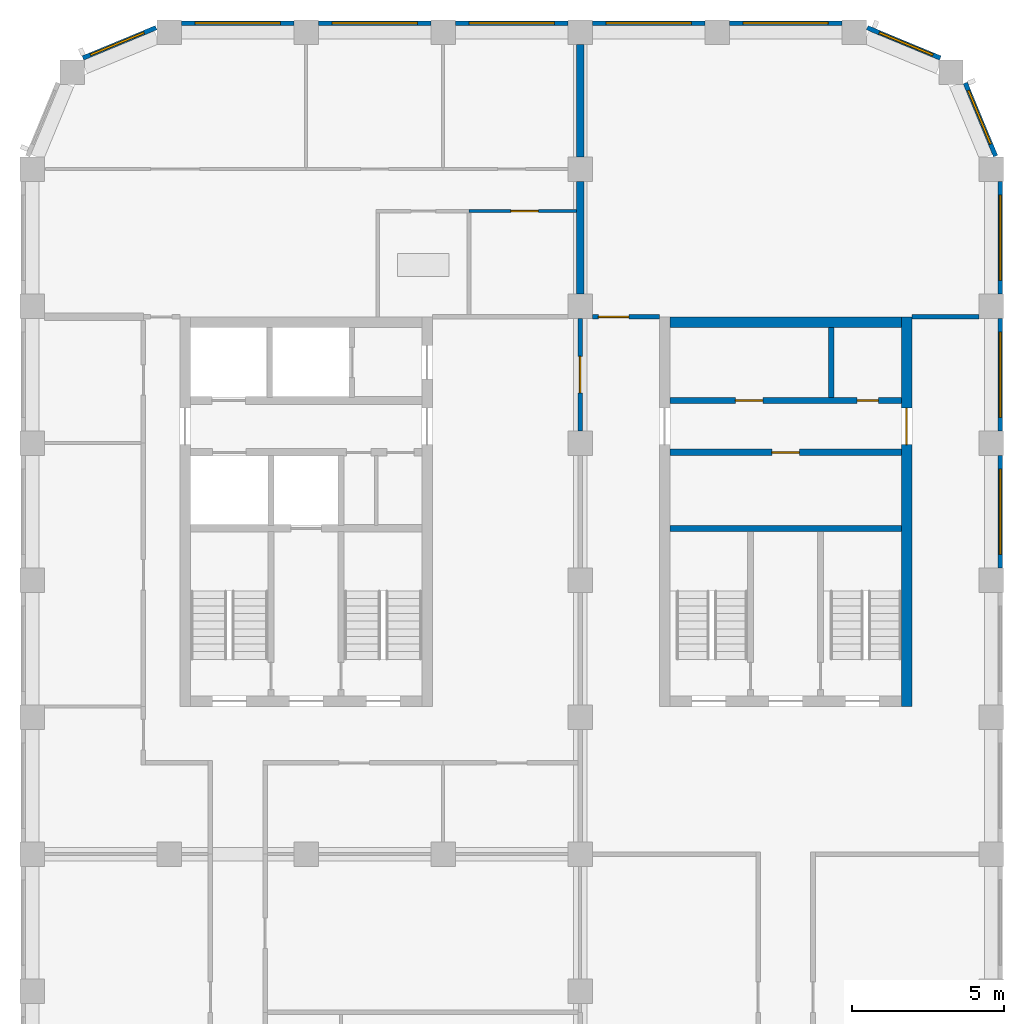
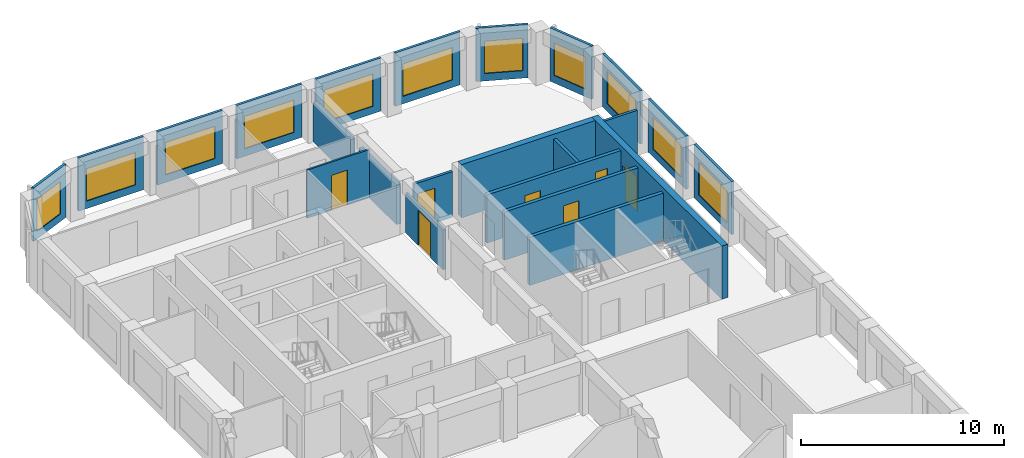
# One storey, part 6 of 9: 23 walls, 11 windows, 7 doors, 18 openings.
"""IFC4 building model written with IfcOpenShell, lengths in metres."""

from ifc_helpers import new_model, si_unit, direction, frame, frame_2d, origin, place, context, subcontext, project, spatial, rectangle, extrude, material, layer, layer_set, type_object, element, fill, save


model = new_model("IFC4")

# Units and contexts
model_context = context("Model", 3, precision=1e-05, world=origin(), true_north=direction((0.0, 1.0)))
body_context = subcontext(model_context, "Body", "Model", "MODEL_VIEW")
ifc_project = project(units=[si_unit("LENGTHUNIT", "METRE"), si_unit("AREAUNIT", "SQUARE_METRE"), si_unit("VOLUMEUNIT", "CUBIC_METRE"), si_unit("PLANEANGLEUNIT", "RADIAN"), si_unit("MASSUNIT", "GRAM", prefix="KILO")], contexts=[model_context])

# Site, building, storey
site_placement = place(None, origin())
site = spatial("IfcSite", under=ifc_project, at=site_placement, CompositionType="ELEMENT")
building_placement = place(site_placement, origin())
building = spatial("IfcBuilding", under=site, at=building_placement, Name="Girih Gate Residences", CompositionType="ELEMENT")
storey_placement = place(building_placement, frame((0.0, 0.0, 185.89990234375)))
storey = spatial("IfcBuildingStorey", under=building, at=storey_placement, Name="L51", CompositionType="ELEMENT", Elevation=185.89990234375)

# Walls
ifc_material_1 = material(Name="Gypsum board on steel studs", Category="steel")
ifc_layer_1 = layer(ifc_material_1, 0.25)
ifc_layer_set_1 = layer_set([ifc_layer_1], Name="Acoustic separating wall 250 mm")
wall_type_1 = type_object("IfcWallType", Name="Acoustic separating wall 250 mm", PredefinedType="PARTITIONING", material=ifc_layer_set_1)
for number, where, z_axis, x_axis, name in (
    (1, (18.0, 45.39990234375, 0.0), (0.0, 0.0, 1.0), (0.0, 1.0, 0.0), "L51 partition"),
    (2, (18.0, 40.89990234375, 0.0), (0.0, 0.0, 1.0), (0.0, 1.0, 0.0), "L51 partition"),
):
    element("IfcWall", number, at=place(storey_placement, frame(where, z_axis=z_axis, x_axis=x_axis)), inside=storey, type_object=wall_type_1, Name=name, PredefinedType="PARTITIONING", context=body_context, shape_type="SweptSolid", body=[
        extrude(rectangle(XDim=3.7001953125, YDim=0.25, at=frame_2d((1.85009765625, 0.0))), origin(), (0.0, 0.0, 1.0), 2.380126953125),
    ])

# Wall, opening, door
ifc_layer_2 = layer(ifc_material_1, 0.14990234375)
ifc_layer_set_2 = layer_set([ifc_layer_2], Name="Compartment wall 150 mm")
wall_type_2 = type_object("IfcWallType", Name="Compartment wall 150 mm", PredefinedType="PARTITIONING", material=ifc_layer_set_2)
wall_1_placement = place(storey_placement, frame((18.39990234375, 40.14990234375, 0.0), z_axis=(0.0, 0.0, 1.0), x_axis=(1.0, 0.0, 0.0)))
wall_1 = element("IfcWall", 3, at=wall_1_placement, inside=storey, type_object=wall_type_2, Name="L51 partition", PredefinedType="PARTITIONING", context=body_context, shape_type="SweptSolid", body=[
    extrude(rectangle(XDim=2.2001953125, YDim=0.14990234375, at=frame_2d((1.10009765625, 0.0))), origin(), (0.0, 0.0, 1.0), 2.75),
])
opening_1_placement = place(wall_1_placement, frame((0.199951171875, 0.0, 0.0)))
opening_1 = element("IfcOpeningElement", 4, at=opening_1_placement, cuts=wall_1, Name="Opening A51-014", PredefinedType="OPENING", context=body_context, shape_type="SweptSolid", body=[
    extrude(rectangle(XDim=1.0, YDim=2.10009765625, at=frame_2d((0.5, 1.050048828125))), frame((0.0, 0.0849609375, 0.0), z_axis=(0.0, -1.0, 0.0), x_axis=(1.0, 0.0, 0.0)), (0.0, 0.0, 1.0), 0.169921875),
])
ifc_material_2 = material(Name="Timber, fire-rated core", Category="wood")
door_type_1 = type_object("IfcDoorType", Name="Amenity room door 1000x2100 FD30S", OperationType="NOTDEFINED", PredefinedType="DOOR", material=ifc_material_2)
door_1_placement = place(opening_1_placement, origin())
door_1 = element("IfcDoor", 5, at=door_1_placement, inside=storey, type_object=door_type_1, Name="Door A51-014", OperationType="SINGLE_SWING_LEFT", OverallHeight=2.10009765625, OverallWidth=1.0, PredefinedType="DOOR", context=body_context, shape_type="SweptSolid", body=[
    extrude(rectangle(XDim=1.0, YDim=2.10009765625, at=frame_2d((0.5, 1.050048828125))), frame((0.0, 0.02490234375, 0.0), z_axis=(0.0, -1.0, 0.0), x_axis=(1.0, 0.0, 0.0)), (0.0, 0.0, 1.0), 0.050048828125),
])
fill(opening_1, door_1)

# Wall
wall_2_placement = place(storey_placement, frame((28.89990234375, 40.14990234375, 0.0), z_axis=(0.0, 0.0, 1.0), x_axis=(1.0, 0.0, 0.0)))
element("IfcWall", 6, at=wall_2_placement, inside=storey, type_object=wall_type_2, Name="L51 partition", PredefinedType="PARTITIONING", context=body_context, shape_type="SweptSolid", body=[
    extrude(rectangle(XDim=2.2001953125, YDim=0.14990234375, at=frame_2d((1.10009765625, 0.0))), origin(), (0.0, 0.0, 1.0), 2.75),
])

# Wall, opening, door
wall_3_placement = place(storey_placement, frame((18.0, 40.10009765625, 0.0), z_axis=(0.0, 0.0, 1.0), x_axis=(0.0, -1.0, 0.0)))
wall_3 = element("IfcWall", 7, at=wall_3_placement, inside=storey, type_object=wall_type_2, Name="L51 partition", PredefinedType="PARTITIONING", context=body_context, shape_type="SweptSolid", body=[
    extrude(rectangle(XDim=3.7001953125, YDim=0.14990234375, at=frame_2d((1.85009765625, 0.0))), origin(), (0.0, 0.0, 1.0), 2.380126953125),
])
opening_2_placement = place(wall_3_placement, frame((1.25, 0.0, 0.0)))
opening_2 = element("IfcOpeningElement", 8, at=opening_2_placement, cuts=wall_3, Name="Opening A51-015", PredefinedType="OPENING", context=body_context, shape_type="SweptSolid", body=[
    extrude(rectangle(XDim=1.199951171875, YDim=2.10009765625, at=frame_2d((0.60009765625, 1.050048828125))), frame((0.0, 0.0849609375, 0.0), z_axis=(0.0, -1.0, 0.0), x_axis=(1.0, 0.0, 0.0)), (0.0, 0.0, 1.0), 0.169921875),
])
door_type_2 = type_object("IfcDoorType", Name="Corridor fire door 1200x2100 FD30S", OperationType="NOTDEFINED", PredefinedType="DOOR", material=ifc_material_2)
door_2_placement = place(opening_2_placement, origin())
door_2 = element("IfcDoor", 9, at=door_2_placement, inside=storey, type_object=door_type_2, Name="Door A51-015", OperationType="SINGLE_SWING_LEFT", OverallHeight=2.10009765625, OverallWidth=1.199951171875, PredefinedType="DOOR", context=body_context, shape_type="SweptSolid", body=[
    extrude(rectangle(XDim=1.199951171875, YDim=2.10009765625, at=frame_2d((0.60009765625, 1.050048828125))), frame((0.0, 0.02490234375, 0.0), z_axis=(0.0, -1.0, 0.0), x_axis=(1.0, 0.0, 0.0)), (0.0, 0.0, 1.0), 0.050048828125),
])
fill(opening_2, door_2)

ifc_layer_3 = layer(ifc_material_1, 0.10009765625)
ifc_layer_set_3 = layer_set([ifc_layer_3], Name="Partition 100 mm")
wall_type_3 = type_object("IfcWallType", Name="Partition 100 mm", PredefinedType="PARTITIONING", material=ifc_layer_set_3)
wall_4_placement = place(storey_placement, frame((17.875, 43.6201171875, 0.0), z_axis=(0.0, 0.0, 1.0), x_axis=(-1.0, 0.0, 0.0)))
wall_4 = element("IfcWall", 10, at=wall_4_placement, inside=storey, type_object=wall_type_3, Name="L51 partition", PredefinedType="PARTITIONING", context=body_context, shape_type="SweptSolid", body=[
    extrude(rectangle(XDim=3.524658203125, YDim=0.10009765625, at=frame_2d((1.76220703125, 0.0))), origin(), (0.0, 0.0, 1.0), 2.900146484375),
])
opening_3_placement = place(wall_4_placement, frame((1.249755859375, 0.0, 0.0)))
opening_3 = element("IfcOpeningElement", 11, at=opening_3_placement, cuts=wall_4, Name="Opening A51-010", PredefinedType="OPENING", context=body_context, shape_type="SweptSolid", body=[
    extrude(rectangle(XDim=0.89990234375, YDim=2.10009765625, at=frame_2d((0.449951171875, 1.050048828125))), frame((0.0, 0.06005859375, 0.0), z_axis=(0.0, -1.0, 0.0), x_axis=(1.0, 0.0, 0.0)), (0.0, 0.0, 1.0), 0.1201171875),
])
ifc_material_3 = material(Name="Timber", Category="wood")
door_type_3 = type_object("IfcDoorType", Name="Kitchen door 900x2100", OperationType="NOTDEFINED", PredefinedType="DOOR", material=ifc_material_3)
door_3_placement = place(opening_3_placement, origin())
door_3 = element("IfcDoor", 12, at=door_3_placement, inside=storey, type_object=door_type_3, Name="Door A51-010", OperationType="SINGLE_SWING_LEFT", OverallHeight=2.10009765625, OverallWidth=0.89990234375, PredefinedType="DOOR", context=body_context, shape_type="SweptSolid", body=[
    extrude(rectangle(XDim=0.89990234375, YDim=2.10009765625, at=frame_2d((0.449951171875, 1.050048828125))), frame((0.0, 0.02490234375, 0.0), z_axis=(0.0, -1.0, 0.0), x_axis=(1.0, 0.0, 0.0)), (0.0, 0.0, 1.0), 0.050048828125),
])
fill(opening_3, door_3)

# Wall, opening, window
ifc_material_4 = material(Name="Precast concrete C50/60", Category="concrete")
ifc_layer_4 = layer(ifc_material_4, 0.050048828125, Name="Outer leaf")
ifc_material_5 = material(Name="Rigid PIR insulation")
ifc_layer_5 = layer(ifc_material_5, 0.06005859375, Name="Insulation")
ifc_material_6 = material(Name="Precast concrete C40/50", Category="concrete")
ifc_layer_6 = layer(ifc_material_6, 0.0400390625, Name="Inner leaf")
ifc_layer_set_4 = layer_set([ifc_layer_4, ifc_layer_5, ifc_layer_6], Name="Precast concrete C50/60 external wall 150")
wall_type_4 = type_object("IfcWallType", Name="Precast concrete C50/60 external wall 150", PredefinedType="SOLIDWALL", material=ifc_layer_set_4)
wall_5_placement = place(storey_placement, frame((31.800048828125, 35.60009765625, 0.0), z_axis=(0.0, 0.0, 1.0), x_axis=(0.0, -1.0, 0.0)))
wall_5 = element("IfcWall", 13, at=wall_5_placement, inside=storey, type_object=wall_type_4, Name="External wall E0315_0045.6", PredefinedType="SOLIDWALL", context=body_context, shape_type="SweptSolid", body=[
    extrude(rectangle(XDim=3.7001953125, YDim=0.14990234375, at=frame_2d((1.85009765625, 0.0))), origin(), (0.0, 0.0, 1.0), 3.2001953125),
])
opening_4_placement = place(wall_5_placement, frame((0.449951171875, 0.0, 0.449951171875)))
opening_4 = element("IfcOpeningElement", 14, at=opening_4_placement, cuts=wall_5, Name="Opening W-1B", PredefinedType="OPENING", context=body_context, shape_type="SweptSolid", body=[
    extrude(rectangle(XDim=2.800048828125, YDim=1.949951171875, at=frame_2d((1.39990234375, 0.97509765625))), frame((0.0, 0.0849609375, 0.0), z_axis=(0.0, -1.0, 0.0), x_axis=(1.0, 0.0, 0.0)), (0.0, 0.0, 1.0), 0.169921875),
])
ifc_material_7 = material(Name="Double glazing in aluminium frame", Category="aluminium")
window_type_1 = type_object("IfcWindowType", Name="Window W-1B 2800x1950", PartitioningType="SINGLE_PANEL", PredefinedType="WINDOW", material=ifc_material_7)
window_1_placement = place(opening_4_placement, origin())
window_1 = element("IfcWindow", 15, at=window_1_placement, inside=storey, type_object=window_type_1, Name="Window W-1B E0315_0045.6", OverallHeight=1.949951171875, OverallWidth=2.800048828125, PartitioningType="SINGLE_PANEL", PredefinedType="WINDOW", context=body_context, shape_type="SweptSolid", body=[
    extrude(rectangle(XDim=2.800048828125, YDim=1.949951171875, at=frame_2d((1.39990234375, 0.97509765625))), frame((0.0, 0.030029296875, 0.0), z_axis=(0.0, -1.0, 0.0), x_axis=(1.0, 0.0, 0.0)), (0.0, 0.0, 1.0), 0.06005859375),
])
fill(opening_4, window_1)

wall_6_placement = place(storey_placement, frame((31.800048828125, 40.10009765625, 0.0), z_axis=(0.0, 0.0, 1.0), x_axis=(0.0, -1.0, 0.0)))
wall_6 = element("IfcWall", 16, at=wall_6_placement, inside=storey, type_object=wall_type_4, Name="External wall E0315_0045.7", PredefinedType="SOLIDWALL", context=body_context, shape_type="SweptSolid", body=[
    extrude(rectangle(XDim=3.7001953125, YDim=0.14990234375, at=frame_2d((1.85009765625, 0.0))), origin(), (0.0, 0.0, 1.0), 3.2001953125),
])
opening_5_placement = place(wall_6_placement, frame((0.449951171875, 0.0, 0.449951171875)))
opening_5 = element("IfcOpeningElement", 17, at=opening_5_placement, cuts=wall_6, Name="Opening W-1B", PredefinedType="OPENING", context=body_context, shape_type="SweptSolid", body=[
    extrude(rectangle(XDim=2.800048828125, YDim=1.949951171875, at=frame_2d((1.39990234375, 0.97509765625))), frame((0.0, 0.0849609375, 0.0), z_axis=(0.0, -1.0, 0.0), x_axis=(1.0, 0.0, 0.0)), (0.0, 0.0, 1.0), 0.169921875),
])
window_2_placement = place(opening_5_placement, origin())
window_2 = element("IfcWindow", 18, at=window_2_placement, inside=storey, type_object=window_type_1, Name="Window W-1B E0315_0045.7", OverallHeight=1.949951171875, OverallWidth=2.800048828125, PartitioningType="SINGLE_PANEL", PredefinedType="WINDOW", context=body_context, shape_type="SweptSolid", body=[
    extrude(rectangle(XDim=2.800048828125, YDim=1.949951171875, at=frame_2d((1.39990234375, 0.97509765625))), frame((0.0, 0.030029296875, 0.0), z_axis=(0.0, -1.0, 0.0), x_axis=(1.0, 0.0, 0.0)), (0.0, 0.0, 1.0), 0.06005859375),
])
fill(opening_5, window_2)

wall_7_placement = place(storey_placement, frame((31.800048828125, 44.60009765625, 0.0), z_axis=(0.0, 0.0, 1.0), x_axis=(0.0, -1.0, 0.0)))
wall_7 = element("IfcWall", 19, at=wall_7_placement, inside=storey, type_object=wall_type_4, Name="External wall E0315_0045.8", PredefinedType="SOLIDWALL", context=body_context, shape_type="SweptSolid", body=[
    extrude(rectangle(XDim=3.7001953125, YDim=0.14990234375, at=frame_2d((1.85009765625, 0.0))), origin(), (0.0, 0.0, 1.0), 3.2001953125),
])
opening_6_placement = place(wall_7_placement, frame((0.449951171875, 0.0, 0.449951171875)))
opening_6 = element("IfcOpeningElement", 20, at=opening_6_placement, cuts=wall_7, Name="Opening W-1B", PredefinedType="OPENING", context=body_context, shape_type="SweptSolid", body=[
    extrude(rectangle(XDim=2.800048828125, YDim=1.949951171875, at=frame_2d((1.39990234375, 0.97509765625))), frame((0.0, 0.0849609375, 0.0), z_axis=(0.0, -1.0, 0.0), x_axis=(1.0, 0.0, 0.0)), (0.0, 0.0, 1.0), 0.169921875),
])
window_3_placement = place(opening_6_placement, origin())
window_3 = element("IfcWindow", 21, at=window_3_placement, inside=storey, type_object=window_type_1, Name="Window W-1B E0315_0045.8", OverallHeight=1.949951171875, OverallWidth=2.800048828125, PartitioningType="SINGLE_PANEL", PredefinedType="WINDOW", context=body_context, shape_type="SweptSolid", body=[
    extrude(rectangle(XDim=2.800048828125, YDim=1.949951171875, at=frame_2d((1.39990234375, 0.97509765625))), frame((0.0, 0.030029296875, 0.0), z_axis=(0.0, -1.0, 0.0), x_axis=(1.0, 0.0, 0.0)), (0.0, 0.0, 1.0), 0.06005859375),
])
fill(opening_6, window_3)

wall_8_placement = place(storey_placement, frame((30.6513671875, 47.8330078125, 0.0), z_axis=(0.0, 0.0, 1.0), x_axis=(0.382669406082, -0.923885342263, 0.0)))
wall_8 = element("IfcWall", 22, at=wall_8_placement, inside=storey, type_object=wall_type_4, Name="External wall NE0315_0450.0", PredefinedType="SOLIDWALL", context=body_context, shape_type="SweptSolid", body=[
    extrude(rectangle(XDim=2.602294921875, YDim=0.14990234375, at=frame_2d((1.30126953125, 0.0))), origin(), (0.0, 0.0, 1.0), 3.2001953125),
])
opening_7_placement = place(wall_8_placement, frame((0.27001953125, 0.0, 0.449951171875)))
opening_7 = element("IfcOpeningElement", 23, at=opening_7_placement, cuts=wall_8, Name="Opening W-2G", PredefinedType="OPENING", context=body_context, shape_type="SweptSolid", body=[
    extrude(rectangle(XDim=1.89990234375, YDim=1.949951171875, at=frame_2d((0.949951171875, 0.97509765625))), frame((0.0, 0.0849609375, 0.0), z_axis=(0.0, -1.0, 0.0), x_axis=(1.0, 0.0, 0.0)), (0.0, 0.0, 1.0), 0.169921875),
])
window_type_2 = type_object("IfcWindowType", Name="Window W-2G 1900x1950", PartitioningType="SINGLE_PANEL", PredefinedType="WINDOW", material=ifc_material_7)
window_4_placement = place(opening_7_placement, origin())
window_4 = element("IfcWindow", 24, at=window_4_placement, inside=storey, type_object=window_type_2, Name="Window W-2G NE0315_0450.0", OverallHeight=1.949951171875, OverallWidth=1.89990234375, PartitioningType="SINGLE_PANEL", PredefinedType="WINDOW", context=body_context, shape_type="SweptSolid", body=[
    extrude(rectangle(XDim=1.89990234375, YDim=1.949951171875, at=frame_2d((0.949951171875, 0.97509765625))), frame((0.0, 0.030029296875, 0.0), z_axis=(0.0, -1.0, 0.0), x_axis=(1.0, 0.0, 0.0)), (0.0, 0.0, 1.0), 0.06005859375),
])
fill(opening_7, window_4)

wall_9_placement = place(storey_placement, frame((27.4287109375, 49.647216796875, 0.0), z_axis=(0.0, 0.0, 1.0), x_axis=(0.923885342263, -0.382669406082, 0.0)))
wall_9 = element("IfcWall", 25, at=wall_9_placement, inside=storey, type_object=wall_type_4, Name="External wall NE0302_0482.0", PredefinedType="SOLIDWALL", context=body_context, shape_type="SweptSolid", body=[
    extrude(rectangle(XDim=2.602294921875, YDim=0.14990234375, at=frame_2d((1.30126953125, 0.0))), origin(), (0.0, 0.0, 1.0), 3.2001953125),
])
opening_8_placement = place(wall_9_placement, frame((0.432373046875, 0.0, 0.449951171875)))
opening_8 = element("IfcOpeningElement", 26, at=opening_8_placement, cuts=wall_9, Name="Opening W-2G", PredefinedType="OPENING", context=body_context, shape_type="SweptSolid", body=[
    extrude(rectangle(XDim=1.89990234375, YDim=1.949951171875, at=frame_2d((0.949951171875, 0.97509765625))), frame((0.0, 0.0849609375, 0.0), z_axis=(0.0, -1.0, 0.0), x_axis=(1.0, 0.0, 0.0)), (0.0, 0.0, 1.0), 0.169921875),
])
window_5_placement = place(opening_8_placement, origin())
window_5 = element("IfcWindow", 27, at=window_5_placement, inside=storey, type_object=window_type_2, Name="Window W-2G NE0302_0482.0", OverallHeight=1.949951171875, OverallWidth=1.89990234375, PartitioningType="SINGLE_PANEL", PredefinedType="WINDOW", context=body_context, shape_type="SweptSolid", body=[
    extrude(rectangle(XDim=1.89990234375, YDim=1.949951171875, at=frame_2d((0.949951171875, 0.97509765625))), frame((0.0, 0.030029296875, 0.0), z_axis=(0.0, -1.0, 0.0), x_axis=(1.0, 0.0, 0.0)), (0.0, 0.0, 1.0), 0.06005859375),
])
fill(opening_8, window_5)

wall_10_placement = place(storey_placement, frame((22.89990234375, 49.800048828125, 0.0), z_axis=(0.0, 0.0, 1.0), x_axis=(1.0, 0.0, 0.0)))
wall_10 = element("IfcWall", 28, at=wall_10_placement, inside=storey, type_object=wall_type_4, Name="External wall N0270_0495.0", PredefinedType="SOLIDWALL", context=body_context, shape_type="SweptSolid", body=[
    extrude(rectangle(XDim=3.7001953125, YDim=0.14990234375, at=frame_2d((1.85009765625, 0.0))), origin(), (0.0, 0.0, 1.0), 3.2001953125),
])
opening_9_placement = place(wall_10_placement, frame((0.449951171875, 0.0, 0.449951171875)))
opening_9 = element("IfcOpeningElement", 29, at=opening_9_placement, cuts=wall_10, Name="Opening W-1B", PredefinedType="OPENING", context=body_context, shape_type="SweptSolid", body=[
    extrude(rectangle(XDim=2.800048828125, YDim=1.949951171875, at=frame_2d((1.39990234375, 0.97509765625))), frame((0.0, 0.0849609375, 0.0), z_axis=(0.0, -1.0, 0.0), x_axis=(1.0, 0.0, 0.0)), (0.0, 0.0, 1.0), 0.169921875),
])
window_6_placement = place(opening_9_placement, origin())
window_6 = element("IfcWindow", 30, at=window_6_placement, inside=storey, type_object=window_type_1, Name="Window W-1B N0270_0495.0", OverallHeight=1.949951171875, OverallWidth=2.800048828125, PartitioningType="SINGLE_PANEL", PredefinedType="WINDOW", context=body_context, shape_type="SweptSolid", body=[
    extrude(rectangle(XDim=2.800048828125, YDim=1.949951171875, at=frame_2d((1.39990234375, 0.97509765625))), frame((0.0, 0.030029296875, 0.0), z_axis=(0.0, -1.0, 0.0), x_axis=(1.0, 0.0, 0.0)), (0.0, 0.0, 1.0), 0.06005859375),
])
fill(opening_9, window_6)

wall_11_placement = place(storey_placement, frame((18.39990234375, 49.800048828125, 0.0), z_axis=(0.0, 0.0, 1.0), x_axis=(1.0, 0.0, 0.0)))
wall_11 = element("IfcWall", 31, at=wall_11_placement, inside=storey, type_object=wall_type_4, Name="External wall N0270_0495.1", PredefinedType="SOLIDWALL", context=body_context, shape_type="SweptSolid", body=[
    extrude(rectangle(XDim=3.7001953125, YDim=0.14990234375, at=frame_2d((1.85009765625, 0.0))), origin(), (0.0, 0.0, 1.0), 3.2001953125),
])
opening_10_placement = place(wall_11_placement, frame((0.449951171875, 0.0, 0.449951171875)))
opening_10 = element("IfcOpeningElement", 32, at=opening_10_placement, cuts=wall_11, Name="Opening W-1B", PredefinedType="OPENING", context=body_context, shape_type="SweptSolid", body=[
    extrude(rectangle(XDim=2.800048828125, YDim=1.949951171875, at=frame_2d((1.39990234375, 0.97509765625))), frame((0.0, 0.0849609375, 0.0), z_axis=(0.0, -1.0, 0.0), x_axis=(1.0, 0.0, 0.0)), (0.0, 0.0, 1.0), 0.169921875),
])
window_7_placement = place(opening_10_placement, origin())
window_7 = element("IfcWindow", 33, at=window_7_placement, inside=storey, type_object=window_type_1, Name="Window W-1B N0270_0495.1", OverallHeight=1.949951171875, OverallWidth=2.800048828125, PartitioningType="SINGLE_PANEL", PredefinedType="WINDOW", context=body_context, shape_type="SweptSolid", body=[
    extrude(rectangle(XDim=2.800048828125, YDim=1.949951171875, at=frame_2d((1.39990234375, 0.97509765625))), frame((0.0, 0.030029296875, 0.0), z_axis=(0.0, -1.0, 0.0), x_axis=(1.0, 0.0, 0.0)), (0.0, 0.0, 1.0), 0.06005859375),
])
fill(opening_10, window_7)

wall_12_placement = place(storey_placement, frame((13.89990234375, 49.800048828125, 0.0), z_axis=(0.0, 0.0, 1.0), x_axis=(1.0, 0.0, 0.0)))
wall_12 = element("IfcWall", 34, at=wall_12_placement, inside=storey, type_object=wall_type_4, Name="External wall N0270_0495.2", PredefinedType="SOLIDWALL", context=body_context, shape_type="SweptSolid", body=[
    extrude(rectangle(XDim=3.7001953125, YDim=0.14990234375, at=frame_2d((1.85009765625, 0.0))), origin(), (0.0, 0.0, 1.0), 3.2001953125),
])
opening_11_placement = place(wall_12_placement, frame((0.449951171875, 0.0, 0.449951171875)))
opening_11 = element("IfcOpeningElement", 35, at=opening_11_placement, cuts=wall_12, Name="Opening W-1B", PredefinedType="OPENING", context=body_context, shape_type="SweptSolid", body=[
    extrude(rectangle(XDim=2.800048828125, YDim=1.949951171875, at=frame_2d((1.39990234375, 0.97509765625))), frame((0.0, 0.0849609375, 0.0), z_axis=(0.0, -1.0, 0.0), x_axis=(1.0, 0.0, 0.0)), (0.0, 0.0, 1.0), 0.169921875),
])
window_8_placement = place(opening_11_placement, origin())
window_8 = element("IfcWindow", 36, at=window_8_placement, inside=storey, type_object=window_type_1, Name="Window W-1B N0270_0495.2", OverallHeight=1.949951171875, OverallWidth=2.800048828125, PartitioningType="SINGLE_PANEL", PredefinedType="WINDOW", context=body_context, shape_type="SweptSolid", body=[
    extrude(rectangle(XDim=2.800048828125, YDim=1.949951171875, at=frame_2d((1.39990234375, 0.97509765625))), frame((0.0, 0.030029296875, 0.0), z_axis=(0.0, -1.0, 0.0), x_axis=(1.0, 0.0, 0.0)), (0.0, 0.0, 1.0), 0.06005859375),
])
fill(opening_11, window_8)

wall_13_placement = place(storey_placement, frame((9.39990234375, 49.800048828125, 0.0), z_axis=(0.0, 0.0, 1.0), x_axis=(1.0, 0.0, 0.0)))
wall_13 = element("IfcWall", 37, at=wall_13_placement, inside=storey, type_object=wall_type_4, Name="External wall N0270_0495.3", PredefinedType="SOLIDWALL", context=body_context, shape_type="SweptSolid", body=[
    extrude(rectangle(XDim=3.7001953125, YDim=0.14990234375, at=frame_2d((1.85009765625, 0.0))), origin(), (0.0, 0.0, 1.0), 3.2001953125),
])
opening_12_placement = place(wall_13_placement, frame((0.449951171875, 0.0, 0.449951171875)))
opening_12 = element("IfcOpeningElement", 38, at=opening_12_placement, cuts=wall_13, Name="Opening W-1B", PredefinedType="OPENING", context=body_context, shape_type="SweptSolid", body=[
    extrude(rectangle(XDim=2.800048828125, YDim=1.949951171875, at=frame_2d((1.39990234375, 0.97509765625))), frame((0.0, 0.0849609375, 0.0), z_axis=(0.0, -1.0, 0.0), x_axis=(1.0, 0.0, 0.0)), (0.0, 0.0, 1.0), 0.169921875),
])
window_9_placement = place(opening_12_placement, origin())
window_9 = element("IfcWindow", 39, at=window_9_placement, inside=storey, type_object=window_type_1, Name="Window W-1B N0270_0495.3", OverallHeight=1.949951171875, OverallWidth=2.800048828125, PartitioningType="SINGLE_PANEL", PredefinedType="WINDOW", context=body_context, shape_type="SweptSolid", body=[
    extrude(rectangle(XDim=2.800048828125, YDim=1.949951171875, at=frame_2d((1.39990234375, 0.97509765625))), frame((0.0, 0.030029296875, 0.0), z_axis=(0.0, -1.0, 0.0), x_axis=(1.0, 0.0, 0.0)), (0.0, 0.0, 1.0), 0.06005859375),
])
fill(opening_12, window_9)

wall_14_placement = place(storey_placement, frame((4.89990234375, 49.800048828125, 0.0), z_axis=(0.0, 0.0, 1.0), x_axis=(1.0, 0.0, 0.0)))
wall_14 = element("IfcWall", 40, at=wall_14_placement, inside=storey, type_object=wall_type_4, Name="External wall N0270_0495.4", PredefinedType="SOLIDWALL", context=body_context, shape_type="SweptSolid", body=[
    extrude(rectangle(XDim=3.7001953125, YDim=0.14990234375, at=frame_2d((1.85009765625, 0.0))), origin(), (0.0, 0.0, 1.0), 3.2001953125),
])
opening_13_placement = place(wall_14_placement, frame((0.449951171875, 0.0, 0.449951171875)))
opening_13 = element("IfcOpeningElement", 41, at=opening_13_placement, cuts=wall_14, Name="Opening W-1B", PredefinedType="OPENING", context=body_context, shape_type="SweptSolid", body=[
    extrude(rectangle(XDim=2.800048828125, YDim=1.949951171875, at=frame_2d((1.39990234375, 0.97509765625))), frame((0.0, 0.0849609375, 0.0), z_axis=(0.0, -1.0, 0.0), x_axis=(1.0, 0.0, 0.0)), (0.0, 0.0, 1.0), 0.169921875),
])
window_10_placement = place(opening_13_placement, origin())
window_10 = element("IfcWindow", 42, at=window_10_placement, inside=storey, type_object=window_type_1, Name="Window W-1B N0270_0495.4", OverallHeight=1.949951171875, OverallWidth=2.800048828125, PartitioningType="SINGLE_PANEL", PredefinedType="WINDOW", context=body_context, shape_type="SweptSolid", body=[
    extrude(rectangle(XDim=2.800048828125, YDim=1.949951171875, at=frame_2d((1.39990234375, 0.97509765625))), frame((0.0, 0.030029296875, 0.0), z_axis=(0.0, -1.0, 0.0), x_axis=(1.0, 0.0, 0.0)), (0.0, 0.0, 1.0), 0.06005859375),
])
fill(opening_13, window_10)

wall_15_placement = place(storey_placement, frame((1.6669921875, 48.6513671875, 0.0), z_axis=(0.0, 0.0, 1.0), x_axis=(0.923885342263, 0.382669406082, 0.0)))
wall_15 = element("IfcWall", 43, at=wall_15_placement, inside=storey, type_object=wall_type_4, Name="External wall NW0045_0495.0", PredefinedType="SOLIDWALL", context=body_context, shape_type="SweptSolid", body=[
    extrude(rectangle(XDim=2.602294921875, YDim=0.14990234375, at=frame_2d((1.30126953125, 0.0))), origin(), (0.0, 0.0, 1.0), 3.2001953125),
])
opening_14_placement = place(wall_15_placement, frame((0.27001953125, 0.0, 0.449951171875)))
opening_14 = element("IfcOpeningElement", 44, at=opening_14_placement, cuts=wall_15, Name="Opening W-2G", PredefinedType="OPENING", context=body_context, shape_type="SweptSolid", body=[
    extrude(rectangle(XDim=1.89990234375, YDim=1.949951171875, at=frame_2d((0.949951171875, 0.97509765625))), frame((0.0, 0.0849609375, 0.0), z_axis=(0.0, -1.0, 0.0), x_axis=(1.0, 0.0, 0.0)), (0.0, 0.0, 1.0), 0.169921875),
])
window_11_placement = place(opening_14_placement, origin())
window_11 = element("IfcWindow", 45, at=window_11_placement, inside=storey, type_object=window_type_2, Name="Window W-2G NW0045_0495.0", OverallHeight=1.949951171875, OverallWidth=1.89990234375, PartitioningType="SINGLE_PANEL", PredefinedType="WINDOW", context=body_context, shape_type="SweptSolid", body=[
    extrude(rectangle(XDim=1.89990234375, YDim=1.949951171875, at=frame_2d((0.949951171875, 0.97509765625))), frame((0.0, 0.030029296875, 0.0), z_axis=(0.0, -1.0, 0.0), x_axis=(1.0, 0.0, 0.0)), (0.0, 0.0, 1.0), 0.06005859375),
])
fill(opening_14, window_11)

# Walls
ifc_material_8 = material(Name="Concrete C40/50", Category="concrete")
ifc_layer_7 = layer(ifc_material_8, 0.175048828125)
ifc_layer_set_5 = layer_set([ifc_layer_7], Name="Riser shaft wall 175")
wall_type_5 = type_object("IfcWallType", Name="Riser shaft wall 175", PredefinedType="SOLIDWALL", material=ifc_layer_set_5)
wall_16_placement = place(storey_placement, frame((26.25, 37.5, 0.0), z_axis=(0.0, 0.0, 1.0), x_axis=(0.0, 1.0, 0.0)))
element("IfcWall", 46, at=wall_16_placement, inside=storey, type_object=wall_type_5, Name="L51 C core wall V2c", PredefinedType="SOLIDWALL", context=body_context, shape_type="SweptSolid", body=[
    extrude(rectangle(XDim=2.300048828125, YDim=0.175048828125, at=frame_2d((1.14990234375, 0.0))), origin(), (0.0, 0.0, 1.0), 2.900146484375),
])
ifc_layer_8 = layer(ifc_material_8, 0.199951171875)
ifc_layer_set_6 = layer_set([ifc_layer_8], Name="Shaft wall 200")
wall_type_6 = type_object("IfcWallType", Name="Shaft wall 200", PredefinedType="SOLIDWALL", material=ifc_layer_set_6)
wall_17_placement = place(storey_placement, frame((20.949951171875, 33.199951171875, 0.0), z_axis=(0.0, 0.0, 1.0), x_axis=(1.0, 0.0, 0.0)))
element("IfcWall", 47, at=wall_17_placement, inside=storey, type_object=wall_type_6, Name="L51 C core wall H1", PredefinedType="SOLIDWALL", context=body_context, shape_type="SweptSolid", body=[
    extrude(rectangle(XDim=7.60009765625, YDim=0.199951171875, at=frame_2d((3.800048828125, 0.0))), origin(), (0.0, 0.0, 1.0), 2.900146484375),
])

# Wall, opening, door
wall_18_placement = place(storey_placement, frame((20.949951171875, 35.699951171875, 0.0), z_axis=(0.0, 0.0, 1.0), x_axis=(1.0, 0.0, 0.0)))
wall_18 = element("IfcWall", 48, at=wall_18_placement, inside=storey, type_object=wall_type_6, Name="L51 C core wall H2", PredefinedType="SOLIDWALL", context=body_context, shape_type="SweptSolid", body=[
    extrude(rectangle(XDim=7.60009765625, YDim=0.199951171875, at=frame_2d((3.800048828125, 0.0))), origin(), (0.0, 0.0, 1.0), 2.900146484375),
])
opening_15_placement = place(wall_18_placement, frame((3.35009765625, 0.0, 0.0)))
opening_15 = element("IfcOpeningElement", 49, at=opening_15_placement, cuts=wall_18, Name="Opening D-L51-C-004", PredefinedType="OPENING", context=body_context, shape_type="SweptSolid", body=[
    extrude(rectangle(XDim=0.89990234375, YDim=2.10009765625, at=frame_2d((0.449951171875, 1.050048828125))), frame((0.0, 0.10986328125, 0.0), z_axis=(0.0, -1.0, 0.0), x_axis=(1.0, 0.0, 0.0)), (0.0, 0.0, 1.0), 0.219970703125),
])
ifc_material_9 = material(Name="Painted steel, fire-resisting", Category="steel")
door_type_4 = type_object("IfcDoorType", Name="Fire door 900x2100", OperationType="SINGLE_SWING_LEFT", PredefinedType="DOOR", material=ifc_material_9)
door_4_placement = place(opening_15_placement, origin())
door_4 = element("IfcDoor", 50, at=door_4_placement, inside=storey, type_object=door_type_4, Name="L51 C it room door", OperationType="SINGLE_SWING_LEFT", OverallHeight=2.10009765625, OverallWidth=0.89990234375, PredefinedType="DOOR", context=body_context, shape_type="SweptSolid", body=[
    extrude(rectangle(XDim=0.89990234375, YDim=2.10009765625, at=frame_2d((0.449951171875, 1.050048828125))), frame((0.0, 0.02490234375, 0.0), z_axis=(0.0, -1.0, 0.0), x_axis=(1.0, 0.0, 0.0)), (0.0, 0.0, 1.0), 0.050048828125),
])
fill(opening_15, door_4)

# Wall, openings, doors
wall_19_placement = place(storey_placement, frame((20.949951171875, 37.39990234375, 0.0), z_axis=(0.0, 0.0, 1.0), x_axis=(1.0, 0.0, 0.0)))
wall_19 = element("IfcWall", 51, at=wall_19_placement, inside=storey, type_object=wall_type_6, Name="L51 C core wall H3", PredefinedType="SOLIDWALL", context=body_context, shape_type="SweptSolid", body=[
    extrude(rectangle(XDim=7.60009765625, YDim=0.199951171875, at=frame_2d((3.800048828125, 0.0))), origin(), (0.0, 0.0, 1.0), 2.900146484375),
])
opening_16_placement = place(wall_19_placement, frame((6.14990234375, 0.0, 0.0)))
opening_16 = element("IfcOpeningElement", 52, at=opening_16_placement, cuts=wall_19, Name="Opening D-L51-C-003", PredefinedType="OPENING", context=body_context, shape_type="SweptSolid", body=[
    extrude(rectangle(XDim=0.699951171875, YDim=2.10009765625, at=frame_2d((0.35009765625, 1.050048828125))), frame((0.0, 0.10986328125, 0.0), z_axis=(0.0, -1.0, 0.0), x_axis=(1.0, 0.0, 0.0)), (0.0, 0.0, 1.0), 0.219970703125),
])
opening_17_placement = place(wall_19_placement, frame((2.14990234375, 0.0, 0.0)))
opening_17 = element("IfcOpeningElement", 53, at=opening_17_placement, cuts=wall_19, Name="Opening D-L51-C-005", PredefinedType="OPENING", context=body_context, shape_type="SweptSolid", body=[
    extrude(rectangle(XDim=0.89990234375, YDim=2.10009765625, at=frame_2d((0.449951171875, 1.050048828125))), frame((0.0, 0.10986328125, 0.0), z_axis=(0.0, -1.0, 0.0), x_axis=(1.0, 0.0, 0.0)), (0.0, 0.0, 1.0), 0.219970703125),
])
door_5_placement = place(opening_17_placement, origin())
door_5 = element("IfcDoor", 54, at=door_5_placement, inside=storey, type_object=door_type_4, Name="L51 C riser room door", OperationType="SINGLE_SWING_LEFT", OverallHeight=2.10009765625, OverallWidth=0.89990234375, PredefinedType="DOOR", context=body_context, shape_type="SweptSolid", body=[
    extrude(rectangle(XDim=0.89990234375, YDim=2.10009765625, at=frame_2d((0.449951171875, 1.050048828125))), frame((0.0, 0.02490234375, 0.0), z_axis=(0.0, -1.0, 0.0), x_axis=(1.0, 0.0, 0.0)), (0.0, 0.0, 1.0), 0.050048828125),
])
fill(opening_17, door_5)
door_type_5 = type_object("IfcDoorType", Name="Riser access door 700x2100", OperationType="SINGLE_SWING_LEFT", PredefinedType="DOOR", material=ifc_material_9)
door_6_placement = place(opening_16_placement, origin())
door_6 = element("IfcDoor", 55, at=door_6_placement, inside=storey, type_object=door_type_5, Name="L51 C riser room door", OperationType="SINGLE_SWING_LEFT", OverallHeight=2.10009765625, OverallWidth=0.699951171875, PredefinedType="DOOR", context=body_context, shape_type="SweptSolid", body=[
    extrude(rectangle(XDim=0.699951171875, YDim=2.10009765625, at=frame_2d((0.35009765625, 1.050048828125))), frame((0.0, 0.02490234375, 0.0), z_axis=(0.0, -1.0, 0.0), x_axis=(1.0, 0.0, 0.0)), (0.0, 0.0, 1.0), 0.050048828125),
])
fill(opening_16, door_6)

# Wall
ifc_layer_9 = layer(ifc_material_8, 0.35009765625)
ifc_layer_set_7 = layer_set([ifc_layer_9], Name="Stair core wall RC 350 Concrete C40/50")
wall_type_7 = type_object("IfcWallType", Name="Stair core wall RC 350 Concrete C40/50", PredefinedType="SOLIDWALL", material=ifc_layer_set_7)
wall_20_placement = place(storey_placement, frame((20.949951171875, 39.97509765625, 0.0), z_axis=(0.0, 0.0, 1.0), x_axis=(1.0, 0.0, 0.0)))
element("IfcWall", 56, at=wall_20_placement, inside=storey, type_object=wall_type_7, Name="Stair core wall C-N L51", PredefinedType="SOLIDWALL", context=body_context, shape_type="SweptSolid", body=[
    extrude(rectangle(XDim=7.60009765625, YDim=0.35009765625, at=frame_2d((3.800048828125, 0.0))), origin(), (0.0, 0.0, 1.0), 3.2001953125),
])

# Wall, opening, door
wall_21_placement = place(storey_placement, frame((28.72509765625, 27.35009765625, 0.0), z_axis=(0.0, 0.0, 1.0), x_axis=(0.0, 1.0, 0.0)))
wall_21 = element("IfcWall", 57, at=wall_21_placement, inside=storey, type_object=wall_type_7, Name="Stair core wall C-E L51", PredefinedType="SOLIDWALL", context=body_context, shape_type="SweptSolid", body=[
    extrude(rectangle(XDim=12.7998046875, YDim=0.35009765625, at=frame_2d((6.39990234375, 0.0))), origin(), (0.0, 0.0, 1.0), 3.2001953125),
])
opening_18_placement = place(wall_21_placement, frame((8.60009765625, 0.0, 0.0)))
opening_18 = element("IfcOpeningElement", 58, at=opening_18_placement, cuts=wall_21, Name="Opening D-L51-C-010", PredefinedType="OPENING", context=body_context, shape_type="SweptSolid", body=[
    extrude(rectangle(XDim=1.199951171875, YDim=2.10009765625, at=frame_2d((0.60009765625, 1.050048828125))), frame((0.0, 0.18505859375, 0.0), z_axis=(0.0, -1.0, 0.0), x_axis=(1.0, 0.0, 0.0)), (0.0, 0.0, 1.0), 0.3701171875),
])
door_type_6 = type_object("IfcDoorType", Name="Fire door 1200x2100", OperationType="SINGLE_SWING_LEFT", PredefinedType="DOOR", material=ifc_material_9)
door_7_placement = place(opening_18_placement, origin())
door_7 = element("IfcDoor", 59, at=door_7_placement, inside=storey, type_object=door_type_6, Name="L51 C core door ll-e", OperationType="SINGLE_SWING_LEFT", OverallHeight=2.10009765625, OverallWidth=1.199951171875, PredefinedType="DOOR", context=body_context, shape_type="SweptSolid", body=[
    extrude(rectangle(XDim=1.199951171875, YDim=2.10009765625, at=frame_2d((0.60009765625, 1.050048828125))), frame((0.0, 0.02490234375, 0.0), z_axis=(0.0, -1.0, 0.0), x_axis=(1.0, 0.0, 0.0)), (0.0, 0.0, 1.0), 0.050048828125),
])
fill(opening_18, door_7)

save(model, "model.ifc")
